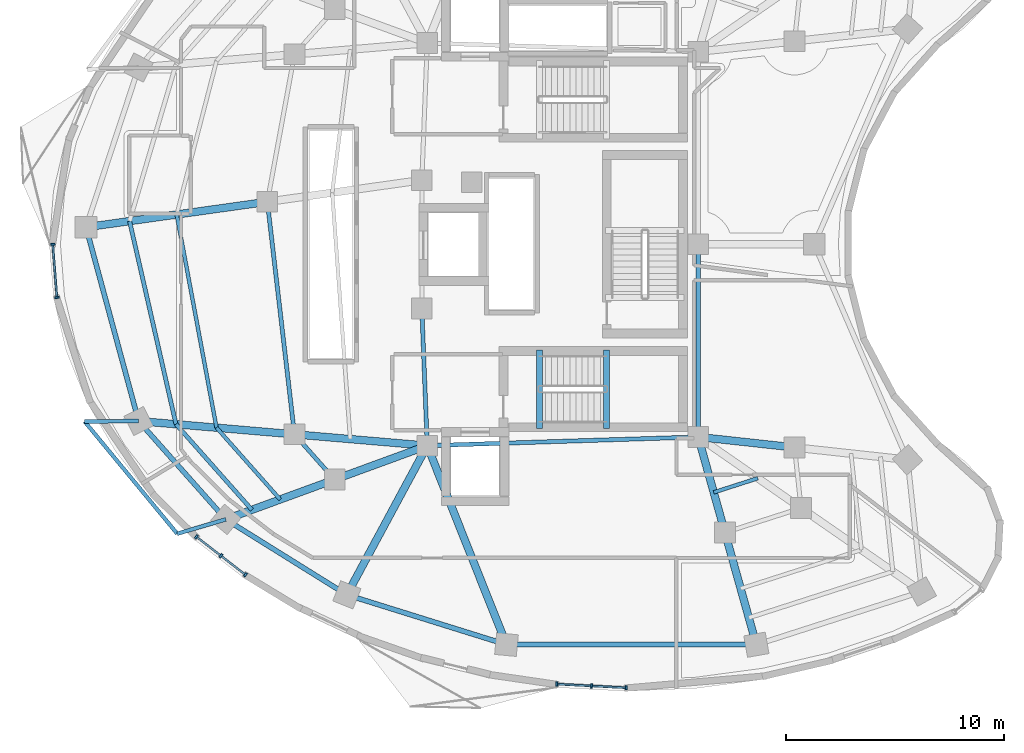
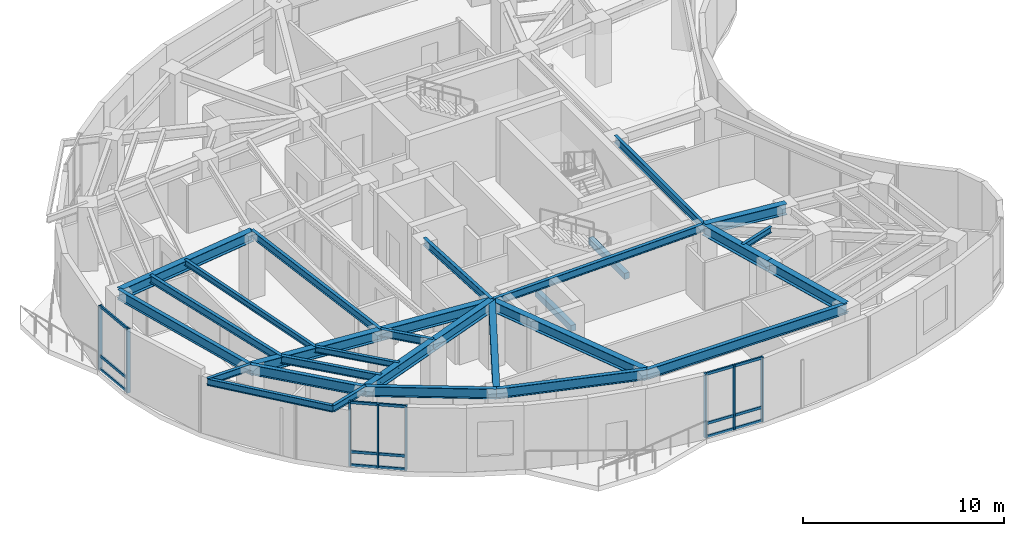
# One storey, part 2 of 12: 30 beams, 23 members, 3 elements without a shape of their own.
"""IFC4 building model written with IfcOpenShell, lengths in metres."""

from ifc_helpers import new_model, si_unit, direction, frame, origin, origin_2d, place, context, subcontext, project, spatial, rectangle, i_section, extrude, material, layer, layer_set, material_profile, profile_set, type_object, element, aggregate, save


model = new_model("IFC4")

# Units and contexts
model_context = context("Model", 3, precision=1e-05, world=origin(), true_north=direction((0.0, 1.0)))
body_context = subcontext(model_context, "Body", "Model", "MODEL_VIEW")
ifc_project = project(units=[si_unit("LENGTHUNIT", "METRE"), si_unit("AREAUNIT", "SQUARE_METRE"), si_unit("VOLUMEUNIT", "CUBIC_METRE"), si_unit("PLANEANGLEUNIT", "RADIAN"), si_unit("MASSUNIT", "GRAM", prefix="KILO")], contexts=[model_context])

# Site, building, storey
site_placement = place(None, origin())
site = spatial("IfcSite", under=ifc_project, at=site_placement, CompositionType="ELEMENT")
building_placement = place(site_placement, origin())
building = spatial("IfcBuilding", under=site, at=building_placement, Name="Korentha Bioscience Tower", CompositionType="ELEMENT")
storey_placement = place(building_placement, frame((0.0, 0.0, 179.39990234375)))
storey = spatial("IfcBuildingStorey", under=building, at=storey_placement, Name="L41", CompositionType="ELEMENT", Elevation=179.39990234375)

# Beams
ifc_material_1 = material(Name="Concrete C50", Category="concrete")
ifc_material_profile_1 = material_profile(ifc_material_1, rectangle(XDim=0.280029296875, YDim=0.3798828125, at=origin_2d()), Name="Concrete C50")
ifc_profile_set_1 = profile_set([ifc_material_profile_1], Name="Concrete C50 (ST-HB380)")
beam_type_1 = type_object("IfcBeamType", Name="Concrete Stair Header Beam RC 280x380", PredefinedType="BEAM", material=ifc_profile_set_1)
for number, where, z_axis, x_axis, name in (
    (1, (30.25, 18.550048828125, -0.18994140625), (0.0, 1.0, 0.0), (-1.0, 0.0, 0.0), "L41 ST-2 Concrete Stair Header Beam"),
    (2, (33.330078125, 18.550048828125, 1.91015625), (0.0, 1.0, 0.0), (-1.0, 0.0, 0.0), "L41 ST-2 Half-Landing Header Beam 1"),
):
    element("IfcBeam", number, at=place(storey_placement, frame(where, z_axis=z_axis, x_axis=x_axis)), inside=storey, type_object=beam_type_1, Name=name, PredefinedType="BEAM", context=body_context, shape_type="SweptSolid", body=[
        extrude(rectangle(XDim=0.280029296875, YDim=0.3798828125, at=origin_2d()), origin(), (0.0, 0.0, 1.0), 3.599853515625),
    ])
ifc_material_2 = material(Name="Steel S355", Category="steel")
ifc_material_profile_2 = material_profile(ifc_material_2, i_section(OverallWidth=0.18994140625, OverallDepth=0.45703125, WebThickness=0.009033203125, FlangeThickness=0.014404296875, at=origin_2d()), Name="Steel S355")
ifc_profile_set_2 = profile_set([ifc_material_profile_2], Name="Steel S355 (MB-460)")
beam_type_2 = type_object("IfcBeamType", Name="Mid-Ring Tie Girder W460x74", PredefinedType="BEAM", material=ifc_profile_set_2)
beam_1_placement = place(storey_placement, frame((17.75341796875, 28.95458984375, 3.671630859375), z_axis=(0.115840395246, -0.993267840428, 0.0), x_axis=(0.993267840428, 0.115840395246, 0.0)))
element("IfcBeam", 3, at=beam_1_placement, inside=storey, type_object=beam_type_2, Name="L41 Mid-Ring Tie Girder 07", PredefinedType="BEAM", context=body_context, shape_type="SweptSolid", body=[
    extrude(i_section(OverallWidth=0.18994140625, OverallDepth=0.45703125, WebThickness=0.009033203125, FlangeThickness=0.014404296875, at=origin_2d()), origin(), (0.0, 0.0, 1.0), 10.757080078125),
])
beam_2_placement = place(storey_placement, frame((18.99951171875, 18.27001953125, 3.671630859375), z_axis=(0.663512238321, -0.748165429299, 0.0), x_axis=(0.748165429299, 0.663512238321, 0.0)))
element("IfcBeam", 4, at=beam_2_placement, inside=storey, type_object=beam_type_2, Name="L41 Mid-Ring Tie Girder 08", PredefinedType="BEAM", context=body_context, shape_type="SweptSolid", body=[
    extrude(i_section(OverallWidth=0.18994140625, OverallDepth=0.45703125, WebThickness=0.009033203125, FlangeThickness=0.014404296875, at=origin_2d()), origin(), (0.0, 0.0, 1.0), 2.77734375),
])
beam_3_placement = place(storey_placement, frame((24.85009765625, 24.050048828125, 3.671630859375), z_axis=(0.039651025576, -0.999213588864, 0.0), x_axis=(0.999213588864, 0.039651025576, 0.0)))
element("IfcBeam", 5, at=beam_3_placement, inside=storey, type_object=beam_type_2, Name="L41 Core Ring Tie Girder 04", PredefinedType="BEAM", context=body_context, shape_type="SweptSolid", body=[
    extrude(i_section(OverallWidth=0.18994140625, OverallDepth=0.45703125, WebThickness=0.009033203125, FlangeThickness=0.014404296875, at=origin_2d()), origin(), (0.0, 0.0, 1.0), 6.304931640625),
])
beam_4_placement = place(storey_placement, frame((25.10009765625, 17.75, 3.671630859375), z_axis=(0.999484526071, 0.032104238723, 0.0), x_axis=(-0.032104238723, 0.999484526071, 0.0)))
element("IfcBeam", 6, at=beam_4_placement, inside=storey, type_object=beam_type_2, Name="L41 Core Ring Tie Girder 05", PredefinedType="BEAM", context=body_context, shape_type="SweptSolid", body=[
    extrude(i_section(OverallWidth=0.18994140625, OverallDepth=0.45703125, WebThickness=0.009033203125, FlangeThickness=0.014404296875, at=origin_2d()), origin(), (0.0, 0.0, 1.0), 12.456298828125),
])
beam_5_placement = place(storey_placement, frame((37.550048828125, 18.14990234375, 3.671630859375), z_axis=(0.0, 1.0, 0.0), x_axis=(-1.0, 0.0, 0.0)))
element("IfcBeam", 7, at=beam_5_placement, inside=storey, type_object=beam_type_2, Name="L41 Core Ring Tie Girder 06", PredefinedType="BEAM", context=body_context, shape_type="SweptSolid", body=[
    extrude(i_section(OverallWidth=0.18994140625, OverallDepth=0.45703125, WebThickness=0.009033203125, FlangeThickness=0.014404296875, at=origin_2d()), origin(), (0.0, 0.0, 1.0), 8.85009765625),
])

# Curtain wall, members
ifc_material_3 = material(Name="Thermally Broken Aluminium Frame", Category="aluminium")
ifc_layer = layer(ifc_material_3, 0.219970703125, Name="Thermally Broken Aluminium Frame")
ifc_layer_set = layer_set([ifc_layer], Name="Thermally Broken Aluminium Frame (CW-T1)")
curtain_wall_type = type_object("IfcCurtainWallType", Name="Standard Bioscience Lab Unitised Curtain Wall CW-T1", PredefinedType="USERDEFINED", material=ifc_layer_set)
curtain_wall_1_placement = place(storey_placement, origin())
curtain_wall_1 = element("IfcCurtainWall", 8, at=curtain_wall_1_placement, inside=storey, type_object=curtain_wall_type, Name="L41 Curtain Wall 19", ObjectType="UNITISED", PredefinedType="USERDEFINED")
ifc_material_4 = material(Name="Anodised Aluminium 6063-T6", Category="aluminium")
ifc_material_profile_3 = material_profile(ifc_material_4, rectangle(XDim=0.090087890625, YDim=0.199951171875, at=origin_2d()), Name="Anodised Aluminium 6063-T6")
ifc_profile_set_3 = profile_set([ifc_material_profile_3], Name="Anodised Aluminium 6063-T6 (CW-MUL)")
member_type_1 = type_object("IfcMemberType", Name="Mullion RECT 90x200", PredefinedType="MULLION", material=ifc_profile_set_3)
member_1_placement = place(storey_placement, frame((7.89599609375, 27.007568359375, 0.0), z_axis=(0.0, 0.0, 1.0), x_axis=(0.078030772566, -0.996950950916, 0.0)))
member_1 = element("IfcMember", 9, at=member_1_placement, type_object=member_type_1, Name="CW-L41-19 Mullion 1", PredefinedType="MULLION", context=body_context, shape_type="SweptSolid", body=[
    extrude(rectangle(XDim=0.090087890625, YDim=0.199951171875, at=origin_2d()), origin(), (0.0, 0.0, 1.0), 3.900146484375),
])
member_2_placement = place(storey_placement, frame((8.087890625, 24.5546875, 0.0), z_axis=(0.0, 0.0, 1.0), x_axis=(0.078030772566, -0.996950950916, 0.0)))
member_2 = element("IfcMember", 10, at=member_2_placement, type_object=member_type_1, Name="CW-L41-19 Mullion 2", PredefinedType="MULLION", context=body_context, shape_type="SweptSolid", body=[
    extrude(rectangle(XDim=0.090087890625, YDim=0.199951171875, at=origin_2d()), origin(), (0.0, 0.0, 1.0), 3.900146484375),
])

curtain_wall_2_placement = place(storey_placement, origin())
curtain_wall_2 = element("IfcCurtainWall", 11, at=curtain_wall_2_placement, inside=storey, type_object=curtain_wall_type, Name="L41 Curtain Wall 25", ObjectType="UNITISED", PredefinedType="USERDEFINED")
member_3_placement = place(storey_placement, frame((14.492431640625, 13.563232421875, 0.0), z_axis=(0.0, 0.0, 1.0), x_axis=(0.790546796919, -0.612401634454, 0.0)))
member_3 = element("IfcMember", 12, at=member_3_placement, type_object=member_type_1, Name="CW-L41-25 Mullion 1", PredefinedType="MULLION", context=body_context, shape_type="SweptSolid", body=[
    extrude(rectangle(XDim=0.090087890625, YDim=0.199951171875, at=origin_2d()), origin(), (0.0, 0.0, 1.0), 3.900146484375),
])
member_4_placement = place(storey_placement, frame((15.618896484375, 12.690673828125, 0.0), z_axis=(0.0, 0.0, 1.0), x_axis=(0.790546796919, -0.612401634454, 0.0)))
member_4 = element("IfcMember", 13, at=member_4_placement, type_object=member_type_1, Name="CW-L41-25 Mullion 2", PredefinedType="MULLION", context=body_context, shape_type="SweptSolid", body=[
    extrude(rectangle(XDim=0.090087890625, YDim=0.199951171875, at=origin_2d()), origin(), (0.0, 0.0, 1.0), 3.900146484375),
])
member_5_placement = place(storey_placement, frame((16.745361328125, 11.818115234375, 0.0), z_axis=(0.0, 0.0, 1.0), x_axis=(0.790546796919, -0.612401634454, 0.0)))
member_5 = element("IfcMember", 14, at=member_5_placement, type_object=member_type_1, Name="CW-L41-25 Mullion 3", PredefinedType="MULLION", context=body_context, shape_type="SweptSolid", body=[
    extrude(rectangle(XDim=0.090087890625, YDim=0.199951171875, at=origin_2d()), origin(), (0.0, 0.0, 1.0), 3.900146484375),
])

curtain_wall_3_placement = place(storey_placement, origin())
curtain_wall_3 = element("IfcCurtainWall", 15, at=curtain_wall_3_placement, inside=storey, type_object=curtain_wall_type, Name="L41 Curtain Wall 31", ObjectType="UNITISED", PredefinedType="USERDEFINED")
member_6_placement = place(storey_placement, frame((31.0517578125, 6.79541015625, 0.0), z_axis=(0.0, 0.0, 1.0), x_axis=(0.998637677307, -0.052180355139, 0.0)))
member_6 = element("IfcMember", 16, at=member_6_placement, type_object=member_type_1, Name="CW-L41-31 Mullion 1", PredefinedType="MULLION", context=body_context, shape_type="SweptSolid", body=[
    extrude(rectangle(XDim=0.090087890625, YDim=0.199951171875, at=origin_2d()), origin(), (0.0, 0.0, 1.0), 3.900146484375),
])
member_7_placement = place(storey_placement, frame((32.64794921875, 6.7119140625, 0.0), z_axis=(0.0, 0.0, 1.0), x_axis=(0.998637677307, -0.052180355139, 0.0)))
member_7 = element("IfcMember", 17, at=member_7_placement, type_object=member_type_1, Name="CW-L41-31 Mullion 2", PredefinedType="MULLION", context=body_context, shape_type="SweptSolid", body=[
    extrude(rectangle(XDim=0.090087890625, YDim=0.199951171875, at=origin_2d()), origin(), (0.0, 0.0, 1.0), 3.900146484375),
])
member_8_placement = place(storey_placement, frame((34.244140625, 6.628662109375, 0.0), z_axis=(0.0, 0.0, 1.0), x_axis=(0.998637677307, -0.052180355139, 0.0)))
member_8 = element("IfcMember", 18, at=member_8_placement, type_object=member_type_1, Name="CW-L41-31 Mullion 3", PredefinedType="MULLION", context=body_context, shape_type="SweptSolid", body=[
    extrude(rectangle(XDim=0.090087890625, YDim=0.199951171875, at=origin_2d()), origin(), (0.0, 0.0, 1.0), 3.900146484375),
])

# Beams
ifc_material_profile_4 = material_profile(ifc_material_2, i_section(OverallWidth=0.22802734375, OverallDepth=0.60791015625, WebThickness=0.01123046875, FlangeThickness=0.017333984375, at=origin_2d()), Name="Steel S355")
ifc_profile_set_4 = profile_set([ifc_material_profile_4], Name="Steel S355 (SB-610)")
beam_type_3 = type_object("IfcBeamType", Name="Perimeter Ring Spandrel Girder W610x113", PredefinedType="SPANDREL", material=ifc_profile_set_4)
beam_6_placement = place(storey_placement, frame((9.422607421875, 27.785888671875, 3.59619140625), z_axis=(0.261762629829, -0.965132284003, 0.0), x_axis=(0.965132284003, 0.261762629829, 0.0)))
element("IfcBeam", 19, at=beam_6_placement, inside=storey, type_object=beam_type_3, Name="L41 Perimeter Spandrel Girder 07", PredefinedType="SPANDREL", context=body_context, shape_type="SweptSolid", body=[
    extrude(i_section(OverallWidth=0.22802734375, OverallDepth=0.60791015625, WebThickness=0.01123046875, FlangeThickness=0.017333984375, at=origin_2d()), origin(), (0.0, 0.0, 1.0), 9.22705078125),
])
beam_7_placement = place(storey_placement, frame((11.837890625, 18.880615234375, 3.59619140625), z_axis=(0.663502544942, -0.748174025782, 0.0), x_axis=(0.748174025782, 0.663502544942, 0.0)))
element("IfcBeam", 20, at=beam_7_placement, inside=storey, type_object=beam_type_3, Name="L41 Perimeter Spandrel Girder 08", PredefinedType="SPANDREL", context=body_context, shape_type="SweptSolid", body=[
    extrude(i_section(OverallWidth=0.22802734375, OverallDepth=0.60791015625, WebThickness=0.01123046875, FlangeThickness=0.017333984375, at=origin_2d()), origin(), (0.0, 0.0, 1.0), 6.037841796875),
])
beam_8_placement = place(storey_placement, frame((15.843994140625, 14.36328125, 3.59619140625), z_axis=(0.848675740059, -0.528913497876, 0.0), x_axis=(0.528913497876, 0.848675740059, 0.0)))
element("IfcBeam", 21, at=beam_8_placement, inside=storey, type_object=beam_type_3, Name="L41 Perimeter Spandrel Girder 09", PredefinedType="SPANDREL", context=body_context, shape_type="SweptSolid", body=[
    extrude(i_section(OverallWidth=0.22802734375, OverallDepth=0.60791015625, WebThickness=0.01123046875, FlangeThickness=0.017333984375, at=origin_2d()), origin(), (0.0, 0.0, 1.0), 6.55322265625),
])
beam_9_placement = place(storey_placement, frame((21.405517578125, 10.897216796875, 3.59619140625), z_axis=(0.954638172607, -0.29776829818, 0.0), x_axis=(0.29776829818, 0.954638172607, 0.0)))
element("IfcBeam", 22, at=beam_9_placement, inside=storey, type_object=beam_type_3, Name="L41 Perimeter Spandrel Girder 10", PredefinedType="SPANDREL", context=body_context, shape_type="SweptSolid", body=[
    extrude(i_section(OverallWidth=0.22802734375, OverallDepth=0.60791015625, WebThickness=0.01123046875, FlangeThickness=0.017333984375, at=origin_2d()), origin(), (0.0, 0.0, 1.0), 7.682373046875),
])
beam_10_placement = place(storey_placement, frame((28.739501953125, 8.609619140625, 3.59619140625), z_axis=(0.99999988041, -0.000489059883, 0.0), x_axis=(0.000489059883, 0.99999988041, 0.0)))
element("IfcBeam", 23, at=beam_10_placement, inside=storey, type_object=beam_type_3, Name="L41 Perimeter Spandrel Girder 11", PredefinedType="SPANDREL", context=body_context, shape_type="SweptSolid", body=[
    extrude(i_section(OverallWidth=0.22802734375, OverallDepth=0.60791015625, WebThickness=0.01123046875, FlangeThickness=0.017333984375, at=origin_2d()), origin(), (0.0, 0.0, 1.0), 11.481689453125),
])
ifc_material_profile_5 = material_profile(ifc_material_2, i_section(OverallWidth=0.18994140625, OverallDepth=0.45703125, WebThickness=0.009033203125, FlangeThickness=0.014404296875, at=origin_2d()), Name="Steel S355")
ifc_profile_set_5 = profile_set([ifc_material_profile_5], Name="Steel S355 (RB-460)")
beam_type_4 = type_object("IfcBeamType", Name="Radial Laboratory Beam W460x74", PredefinedType="BEAM", material=ifc_profile_set_5)
beam_11_placement = place(storey_placement, frame((11.421875, 28.06640625, 3.671630859375), z_axis=(0.222990987745, -0.974820506239, 0.0), x_axis=(0.974820506239, 0.222990987745, 0.0)))
element("IfcBeam", 24, at=beam_11_placement, inside=storey, type_object=beam_type_4, Name="L41 Secondary Floor Beam JSTO-07", PredefinedType="BEAM", context=body_context, shape_type="SweptSolid", body=[
    extrude(i_section(OverallWidth=0.18994140625, OverallDepth=0.45703125, WebThickness=0.009033203125, FlangeThickness=0.014404296875, at=origin_2d()), origin(), (0.0, 0.0, 1.0), 9.5732421875),
])
beam_12_placement = place(storey_placement, frame((13.556640625, 18.734130859375, 3.671630859375), z_axis=(0.663495511182, -0.748180263467, 0.0), x_axis=(0.748180263467, 0.663495511182, 0.0)))
element("IfcBeam", 25, at=beam_12_placement, inside=storey, type_object=beam_type_4, Name="L41 Secondary Floor Beam JSTO-08", PredefinedType="BEAM", context=body_context, shape_type="SweptSolid", body=[
    extrude(i_section(OverallWidth=0.18994140625, OverallDepth=0.45703125, WebThickness=0.009033203125, FlangeThickness=0.014404296875, at=origin_2d()), origin(), (0.0, 0.0, 1.0), 5.255615234375),
])
ifc_material_profile_6 = material_profile(ifc_material_2, i_section(OverallWidth=0.35009765625, OverallDepth=0.64990234375, WebThickness=0.01611328125, FlangeThickness=0.02490234375, at=origin_2d()), Name="Steel S355")
ifc_profile_set_6 = profile_set([ifc_material_profile_6], Name="Steel S355 (RB-650)")
beam_type_5 = type_object("IfcBeamType", Name="Radial Laboratory Girder CVS 650x208", PredefinedType="BEAM", material=ifc_profile_set_6)
beam_13_placement = place(storey_placement, frame((17.75341796875, 28.95458984375, 3.5751953125), z_axis=(-0.990302735089, -0.138926213782, 0.0), x_axis=(0.138926213782, -0.990302735089, 0.0)))
element("IfcBeam", 26, at=beam_13_placement, inside=storey, type_object=beam_type_5, Name="L41 Outer Radial Girder 07", PredefinedType="BEAM", context=body_context, shape_type="SweptSolid", body=[
    extrude(i_section(OverallWidth=0.35009765625, OverallDepth=0.64990234375, WebThickness=0.01611328125, FlangeThickness=0.02490234375, at=origin_2d()), origin(), (0.0, 0.0, 1.0), 8.412353515625),
])
beam_14_placement = place(storey_placement, frame((25.10009765625, 17.75, 3.5751953125), z_axis=(-0.996386672138, 0.084932912264, 0.0), x_axis=(-0.084932912264, -0.996386672138, 0.0)))
element("IfcBeam", 27, at=beam_14_placement, inside=storey, type_object=beam_type_5, Name="L41 Inner Radial Girder 08", PredefinedType="BEAM", context=body_context, shape_type="SweptSolid", body=[
    extrude(i_section(OverallWidth=0.35009765625, OverallDepth=0.64990234375, WebThickness=0.01611328125, FlangeThickness=0.02490234375, at=origin_2d()), origin(), (0.0, 0.0, 1.0), 6.122802734375),
])
beam_15_placement = place(storey_placement, frame((18.99951171875, 18.27001953125, 3.5751953125), z_axis=(-0.996385111181, 0.084951222577, 0.0), x_axis=(-0.084951222577, -0.996385111181, 0.0)))
element("IfcBeam", 28, at=beam_15_placement, inside=storey, type_object=beam_type_5, Name="L41 Outer Radial Girder 08", PredefinedType="BEAM", context=body_context, shape_type="SweptSolid", body=[
    extrude(i_section(OverallWidth=0.35009765625, OverallDepth=0.64990234375, WebThickness=0.01611328125, FlangeThickness=0.02490234375, at=origin_2d()), origin(), (0.0, 0.0, 1.0), 7.1875),
])
beam_16_placement = place(storey_placement, frame((25.10009765625, 17.75, 3.5751953125), z_axis=(-0.939113952431, -0.343605856105, 0.0), x_axis=(0.343605856105, -0.939113952431, 0.0)))
element("IfcBeam", 29, at=beam_16_placement, inside=storey, type_object=beam_type_5, Name="L41 Inner Radial Girder 09", PredefinedType="BEAM", context=body_context, shape_type="SweptSolid", body=[
    extrude(i_section(OverallWidth=0.35009765625, OverallDepth=0.64990234375, WebThickness=0.01611328125, FlangeThickness=0.02490234375, at=origin_2d()), origin(), (0.0, 0.0, 1.0), 4.533935546875),
])
beam_17_placement = place(storey_placement, frame((20.84228515625, 16.192138671875, 3.5751953125), z_axis=(-0.939109855566, -0.343617053097, 0.0), x_axis=(0.343617053097, -0.939109855566, 0.0)))
element("IfcBeam", 30, at=beam_17_placement, inside=storey, type_object=beam_type_5, Name="L41 Outer Radial Girder 09", PredefinedType="BEAM", context=body_context, shape_type="SweptSolid", body=[
    extrude(i_section(OverallWidth=0.35009765625, OverallDepth=0.64990234375, WebThickness=0.01611328125, FlangeThickness=0.02490234375, at=origin_2d()), origin(), (0.0, 0.0, 1.0), 5.322265625),
])
beam_18_placement = place(storey_placement, frame((25.10009765625, 17.75, 3.5751953125), z_axis=(-0.474559790141, -0.880223270302, 0.0), x_axis=(0.880223270302, -0.474559790141, 0.0)))
element("IfcBeam", 31, at=beam_18_placement, inside=storey, type_object=beam_type_5, Name="L41 Radial Girder 10", PredefinedType="BEAM", context=body_context, shape_type="SweptSolid", body=[
    extrude(i_section(OverallWidth=0.35009765625, OverallDepth=0.64990234375, WebThickness=0.01611328125, FlangeThickness=0.02490234375, at=origin_2d()), origin(), (0.0, 0.0, 1.0), 7.785400390625),
])
beam_19_placement = place(storey_placement, frame((25.10009765625, 17.75, 3.5751953125), z_axis=(0.369922682955, -0.929062542909, 0.0), x_axis=(0.929062542909, 0.369922682955, 0.0)))
element("IfcBeam", 32, at=beam_19_placement, inside=storey, type_object=beam_type_5, Name="L41 Radial Girder 11", PredefinedType="BEAM", context=body_context, shape_type="SweptSolid", body=[
    extrude(i_section(OverallWidth=0.35009765625, OverallDepth=0.64990234375, WebThickness=0.01611328125, FlangeThickness=0.02490234375, at=origin_2d()), origin(), (0.0, 0.0, 1.0), 9.83837890625),
])
beam_20_placement = place(storey_placement, frame((37.550048828125, 18.14990234375, 3.5751953125), z_axis=(0.269477001654, -0.963006825303, 0.0), x_axis=(0.963006825303, 0.269477001654, 0.0)))
element("IfcBeam", 33, at=beam_20_placement, inside=storey, type_object=beam_type_5, Name="L41 Inner Radial Girder 12", PredefinedType="BEAM", context=body_context, shape_type="SweptSolid", body=[
    extrude(i_section(OverallWidth=0.35009765625, OverallDepth=0.64990234375, WebThickness=0.01611328125, FlangeThickness=0.02490234375, at=origin_2d()), origin(), (0.0, 0.0, 1.0), 4.559814453125),
])
beam_21_placement = place(storey_placement, frame((38.77880859375, 13.7587890625, 3.5751953125), z_axis=(0.269464128344, -0.963010427532, 0.0), x_axis=(0.963010427532, 0.269464128344, 0.0)))
element("IfcBeam", 34, at=beam_21_placement, inside=storey, type_object=beam_type_5, Name="L41 Outer Radial Girder 12", PredefinedType="BEAM", context=body_context, shape_type="SweptSolid", body=[
    extrude(i_section(OverallWidth=0.35009765625, OverallDepth=0.64990234375, WebThickness=0.01611328125, FlangeThickness=0.02490234375, at=origin_2d()), origin(), (0.0, 0.0, 1.0), 5.352783203125),
])
beam_22_placement = place(storey_placement, frame((37.550048828125, 18.14990234375, 3.5751953125), z_axis=(0.994118939953, -0.108293735857, 0.0), x_axis=(0.108293735857, 0.994118939953, 0.0)))
element("IfcBeam", 35, at=beam_22_placement, inside=storey, type_object=beam_type_5, Name="L41 Inner Radial Girder 14", PredefinedType="BEAM", context=body_context, shape_type="SweptSolid", body=[
    extrude(i_section(OverallWidth=0.35009765625, OverallDepth=0.64990234375, WebThickness=0.01611328125, FlangeThickness=0.02490234375, at=origin_2d()), origin(), (0.0, 0.0, 1.0), 4.4501953125),
])
ifc_material_profile_7 = material_profile(ifc_material_2, i_section(OverallWidth=0.1708984375, OverallDepth=0.35498046875, WebThickness=0.007080078125, FlangeThickness=0.01171875, at=origin_2d()), Name="Steel S355")
ifc_profile_set_7 = profile_set([ifc_material_profile_7], Name="Steel S355 (JB-360)")
beam_type_6 = type_object("IfcBeamType", Name="Secondary Laboratory Joist W360x51", PredefinedType="JOIST", material=ifc_profile_set_7)
beam_23_placement = place(storey_placement, frame((13.587890625, 28.3701171875, 3.72265625), z_axis=(0.183736713841, -0.982975493076, 0.0), x_axis=(0.982975493076, 0.183736713841, 0.0)))
element("IfcBeam", 36, at=beam_23_placement, inside=storey, type_object=beam_type_6, Name="L41 Secondary Floor Beam JST-07", PredefinedType="JOIST", context=body_context, shape_type="SweptSolid", body=[
    extrude(i_section(OverallWidth=0.1708984375, OverallDepth=0.35498046875, WebThickness=0.007080078125, FlangeThickness=0.01171875, at=origin_2d()), origin(), (0.0, 0.0, 1.0), 9.96435546875),
])
beam_24_placement = place(storey_placement, frame((15.418701171875, 18.575439453125, 3.72265625), z_axis=(0.663462598754, -0.748209449322, 0.0), x_axis=(0.748209449322, 0.663462598754, 0.0)))
element("IfcBeam", 37, at=beam_24_placement, inside=storey, type_object=beam_type_6, Name="L41 Secondary Floor Beam JST-08", PredefinedType="JOIST", context=body_context, shape_type="SweptSolid", body=[
    extrude(i_section(OverallWidth=0.1708984375, OverallDepth=0.35498046875, WebThickness=0.007080078125, FlangeThickness=0.01171875, at=origin_2d()), origin(), (0.0, 0.0, 1.0), 4.40771484375),
])
beam_25_placement = place(storey_placement, frame((38.2626953125, 15.60302734375, 3.72265625), z_axis=(0.952010669267, 0.306064838885, 0.0), x_axis=(-0.306064838885, 0.952010669267, 0.0)))
element("IfcBeam", 38, at=beam_25_placement, inside=storey, type_object=beam_type_6, Name="L41 Inner Bay Joist 12", PredefinedType="JOIST", context=body_context, shape_type="SweptSolid", body=[
    extrude(i_section(OverallWidth=0.1708984375, OverallDepth=0.35498046875, WebThickness=0.007080078125, FlangeThickness=0.01171875, at=origin_2d()), origin(), (0.0, 0.0, 1.0), 2.1298828125),
])
ifc_material_profile_8 = material_profile(ifc_material_2, i_section(OverallWidth=0.177978515625, OverallDepth=0.406982421875, WebThickness=0.0078125, FlangeThickness=0.0126953125, at=origin_2d()), Name="Steel S355")
ifc_profile_set_8 = profile_set([ifc_material_profile_8], Name="Steel S355 (CB-410)")
beam_type_7 = type_object("IfcBeamType", Name="Sun-Ledge Cantilever Beam W410x60", PredefinedType="BEAM", material=ifc_profile_set_8)
beam_26_placement = place(storey_placement, frame((11.837890625, 18.880615234375, 3.698486328125), z_axis=(-0.999964128068, -0.008470098987, 0.0), x_axis=(0.008470098987, -0.999964128068, 0.0)))
element("IfcBeam", 39, at=beam_26_placement, inside=storey, type_object=beam_type_7, Name="L41 Balcony Cantilever Bracket A-L42-03", PredefinedType="BEAM", context=body_context, shape_type="SweptSolid", body=[
    extrude(i_section(OverallWidth=0.177978515625, OverallDepth=0.406982421875, WebThickness=0.0078125, FlangeThickness=0.0126953125, at=origin_2d()), origin(), (0.0, 0.0, 1.0), 2.478759765625),
])
beam_27_placement = place(storey_placement, frame((15.843994140625, 14.36328125, 3.698486328125), z_axis=(-0.958961977377, -0.283534699721, 0.0), x_axis=(0.283534699721, -0.958961977377, 0.0)))
element("IfcBeam", 40, at=beam_27_placement, inside=storey, type_object=beam_type_7, Name="L41 Balcony Cantilever Bracket B-L42-03", PredefinedType="BEAM", context=body_context, shape_type="SweptSolid", body=[
    extrude(i_section(OverallWidth=0.177978515625, OverallDepth=0.406982421875, WebThickness=0.0078125, FlangeThickness=0.0126953125, at=origin_2d()), origin(), (0.0, 0.0, 1.0), 2.327392578125),
])
beam_28_placement = place(storey_placement, frame((9.359130859375, 18.859619140625, 3.698486328125), z_axis=(0.63629601464, -0.771444995935, 0.0), x_axis=(0.771444995935, 0.63629601464, 0.0)))
element("IfcBeam", 41, at=beam_28_placement, inside=storey, type_object=beam_type_7, Name="L41 Balcony Edge Trimmer Beam L42-03", PredefinedType="BEAM", context=body_context, shape_type="SweptSolid", body=[
    extrude(i_section(OverallWidth=0.177978515625, OverallDepth=0.406982421875, WebThickness=0.0078125, FlangeThickness=0.0126953125, at=origin_2d()), origin(), (0.0, 0.0, 1.0), 6.683837890625),
])

# Member
ifc_material_profile_9 = material_profile(ifc_material_4, rectangle(XDim=0.090087890625, YDim=0.159912109375, at=origin_2d()), Name="Anodised Aluminium 6063-T6")
ifc_profile_set_9 = profile_set([ifc_material_profile_9], Name="Anodised Aluminium 6063-T6 (CW-TRN)")
member_type_2 = type_object("IfcMemberType", Name="Transom RECT 90x160", PredefinedType="USERDEFINED", material=ifc_profile_set_9)
member_9_placement = place(storey_placement, frame((7.8994140625, 26.962646484375, 0.045166015625), z_axis=(0.078074822466, -0.996947502177, 0.0), x_axis=(0.996947502177, 0.078074822466, 0.0)))
member_9 = element("IfcMember", 42, at=member_9_placement, type_object=member_type_2, Name="CW-L41-19 Bay 1 Transom 1", ObjectType="TRANSOM", PredefinedType="USERDEFINED", context=body_context, shape_type="SweptSolid", body=[
    extrude(rectangle(XDim=0.090087890625, YDim=0.159912109375, at=origin_2d()), origin(), (0.0, 0.0, 1.0), 2.370361328125),
])

member_10_placement = place(storey_placement, frame((7.8994140625, 26.962646484375, 0.85009765625), z_axis=(0.078074822466, -0.996947502177, 0.0), x_axis=(0.996947502177, 0.078074822466, 0.0)))
member_10 = element("IfcMember", 43, at=member_10_placement, type_object=member_type_2, Name="CW-L41-19 Bay 1 Transom 2", ObjectType="TRANSOM", PredefinedType="USERDEFINED", context=body_context, shape_type="SweptSolid", body=[
    extrude(rectangle(XDim=0.090087890625, YDim=0.159912109375, at=origin_2d()), origin(), (0.0, 0.0, 1.0), 2.370361328125),
])

member_11_placement = place(storey_placement, frame((7.8994140625, 26.962646484375, 3.85498046875), z_axis=(0.078074822466, -0.996947502177, 0.0), x_axis=(0.996947502177, 0.078074822466, 0.0)))
member_11 = element("IfcMember", 44, at=member_11_placement, type_object=member_type_2, Name="CW-L41-19 Bay 1 Transom 3", ObjectType="TRANSOM", PredefinedType="USERDEFINED", context=body_context, shape_type="SweptSolid", body=[
    extrude(rectangle(XDim=0.090087890625, YDim=0.159912109375, at=origin_2d()), origin(), (0.0, 0.0, 1.0), 2.370361328125),
])

aggregate(curtain_wall_1, [member_1, member_2, member_9, member_10, member_11])

member_12_placement = place(storey_placement, frame((14.528076171875, 13.535888671875, 0.045166015625), z_axis=(0.790463754503, -0.612508818563, 0.0), x_axis=(0.612508818563, 0.790463754503, 0.0)))
member_12 = element("IfcMember", 45, at=member_12_placement, type_object=member_type_2, Name="CW-L41-25 Bay 1 Transom 1", ObjectType="TRANSOM", PredefinedType="USERDEFINED", context=body_context, shape_type="SweptSolid", body=[
    extrude(rectangle(XDim=0.090087890625, YDim=0.159912109375, at=origin_2d()), origin(), (0.0, 0.0, 1.0), 1.3349609375),
])

member_13_placement = place(storey_placement, frame((14.528076171875, 13.535888671875, 0.85009765625), z_axis=(0.790463754503, -0.612508818563, 0.0), x_axis=(0.612508818563, 0.790463754503, 0.0)))
member_13 = element("IfcMember", 46, at=member_13_placement, type_object=member_type_2, Name="CW-L41-25 Bay 1 Transom 2", ObjectType="TRANSOM", PredefinedType="USERDEFINED", context=body_context, shape_type="SweptSolid", body=[
    extrude(rectangle(XDim=0.090087890625, YDim=0.159912109375, at=origin_2d()), origin(), (0.0, 0.0, 1.0), 1.3349609375),
])

member_14_placement = place(storey_placement, frame((14.528076171875, 13.535888671875, 3.85498046875), z_axis=(0.790463754503, -0.612508818563, 0.0), x_axis=(0.612508818563, 0.790463754503, 0.0)))
member_14 = element("IfcMember", 47, at=member_14_placement, type_object=member_type_2, Name="CW-L41-25 Bay 1 Transom 3", ObjectType="TRANSOM", PredefinedType="USERDEFINED", context=body_context, shape_type="SweptSolid", body=[
    extrude(rectangle(XDim=0.090087890625, YDim=0.159912109375, at=origin_2d()), origin(), (0.0, 0.0, 1.0), 1.3349609375),
])

member_15_placement = place(storey_placement, frame((15.654541015625, 12.6630859375, 0.045166015625), z_axis=(0.79055230676, -0.612394521756, 0.0), x_axis=(0.612394521756, 0.79055230676, 0.0)))
member_15 = element("IfcMember", 48, at=member_15_placement, type_object=member_type_2, Name="CW-L41-25 Bay 2 Transom 1", ObjectType="TRANSOM", PredefinedType="USERDEFINED", context=body_context, shape_type="SweptSolid", body=[
    extrude(rectangle(XDim=0.090087890625, YDim=0.159912109375, at=origin_2d()), origin(), (0.0, 0.0, 1.0), 1.334716796875),
])

member_16_placement = place(storey_placement, frame((15.654541015625, 12.6630859375, 0.85009765625), z_axis=(0.79055230676, -0.612394521756, 0.0), x_axis=(0.612394521756, 0.79055230676, 0.0)))
member_16 = element("IfcMember", 49, at=member_16_placement, type_object=member_type_2, Name="CW-L41-25 Bay 2 Transom 2", ObjectType="TRANSOM", PredefinedType="USERDEFINED", context=body_context, shape_type="SweptSolid", body=[
    extrude(rectangle(XDim=0.090087890625, YDim=0.159912109375, at=origin_2d()), origin(), (0.0, 0.0, 1.0), 1.334716796875),
])

member_17_placement = place(storey_placement, frame((15.654541015625, 12.6630859375, 3.85498046875), z_axis=(0.79055230676, -0.612394521756, 0.0), x_axis=(0.612394521756, 0.79055230676, 0.0)))
member_17 = element("IfcMember", 50, at=member_17_placement, type_object=member_type_2, Name="CW-L41-25 Bay 2 Transom 3", ObjectType="TRANSOM", PredefinedType="USERDEFINED", context=body_context, shape_type="SweptSolid", body=[
    extrude(rectangle(XDim=0.090087890625, YDim=0.159912109375, at=origin_2d()), origin(), (0.0, 0.0, 1.0), 1.334716796875),
])

aggregate(curtain_wall_2, [member_3, member_4, member_5, member_12, member_13, member_14, member_15, member_16, member_17])

member_18_placement = place(storey_placement, frame((31.0966796875, 6.793212890625, 0.045166015625), z_axis=(0.998632544532, -0.052278494633, 0.0), x_axis=(0.052278494633, 0.998632544532, 0.0)))
member_18 = element("IfcMember", 51, at=member_18_placement, type_object=member_type_2, Name="CW-L41-31 Bay 1 Transom 1", ObjectType="TRANSOM", PredefinedType="USERDEFINED", context=body_context, shape_type="SweptSolid", body=[
    extrude(rectangle(XDim=0.090087890625, YDim=0.159912109375, at=origin_2d()), origin(), (0.0, 0.0, 1.0), 1.50830078125),
])

member_19_placement = place(storey_placement, frame((31.0966796875, 6.793212890625, 0.85009765625), z_axis=(0.998632544532, -0.052278494633, 0.0), x_axis=(0.052278494633, 0.998632544532, 0.0)))
member_19 = element("IfcMember", 52, at=member_19_placement, type_object=member_type_2, Name="CW-L41-31 Bay 1 Transom 2", ObjectType="TRANSOM", PredefinedType="USERDEFINED", context=body_context, shape_type="SweptSolid", body=[
    extrude(rectangle(XDim=0.090087890625, YDim=0.159912109375, at=origin_2d()), origin(), (0.0, 0.0, 1.0), 1.50830078125),
])

member_20_placement = place(storey_placement, frame((31.0966796875, 6.793212890625, 3.85498046875), z_axis=(0.998632544532, -0.052278494633, 0.0), x_axis=(0.052278494633, 0.998632544532, 0.0)))
member_20 = element("IfcMember", 53, at=member_20_placement, type_object=member_type_2, Name="CW-L41-31 Bay 1 Transom 3", ObjectType="TRANSOM", PredefinedType="USERDEFINED", context=body_context, shape_type="SweptSolid", body=[
    extrude(rectangle(XDim=0.090087890625, YDim=0.159912109375, at=origin_2d()), origin(), (0.0, 0.0, 1.0), 1.50830078125),
])

member_21_placement = place(storey_placement, frame((32.69287109375, 6.709716796875, 0.045166015625), z_axis=(0.998640981416, -0.052117082012, 0.0), x_axis=(0.052117082012, 0.998640981416, 0.0)))
member_21 = element("IfcMember", 54, at=member_21_placement, type_object=member_type_2, Name="CW-L41-31 Bay 2 Transom 1", ObjectType="TRANSOM", PredefinedType="USERDEFINED", context=body_context, shape_type="SweptSolid", body=[
    extrude(rectangle(XDim=0.090087890625, YDim=0.159912109375, at=origin_2d()), origin(), (0.0, 0.0, 1.0), 1.50830078125),
])

member_22_placement = place(storey_placement, frame((32.69287109375, 6.709716796875, 0.85009765625), z_axis=(0.998640981416, -0.052117082012, 0.0), x_axis=(0.052117082012, 0.998640981416, 0.0)))
member_22 = element("IfcMember", 55, at=member_22_placement, type_object=member_type_2, Name="CW-L41-31 Bay 2 Transom 2", ObjectType="TRANSOM", PredefinedType="USERDEFINED", context=body_context, shape_type="SweptSolid", body=[
    extrude(rectangle(XDim=0.090087890625, YDim=0.159912109375, at=origin_2d()), origin(), (0.0, 0.0, 1.0), 1.50830078125),
])

member_23_placement = place(storey_placement, frame((32.69287109375, 6.709716796875, 3.85498046875), z_axis=(0.998640981416, -0.052117082012, 0.0), x_axis=(0.052117082012, 0.998640981416, 0.0)))
member_23 = element("IfcMember", 56, at=member_23_placement, type_object=member_type_2, Name="CW-L41-31 Bay 2 Transom 3", ObjectType="TRANSOM", PredefinedType="USERDEFINED", context=body_context, shape_type="SweptSolid", body=[
    extrude(rectangle(XDim=0.090087890625, YDim=0.159912109375, at=origin_2d()), origin(), (0.0, 0.0, 1.0), 1.50830078125),
])

aggregate(curtain_wall_3, [member_6, member_7, member_8, member_18, member_19, member_20, member_21, member_22, member_23])

save(model, "model.ifc")
